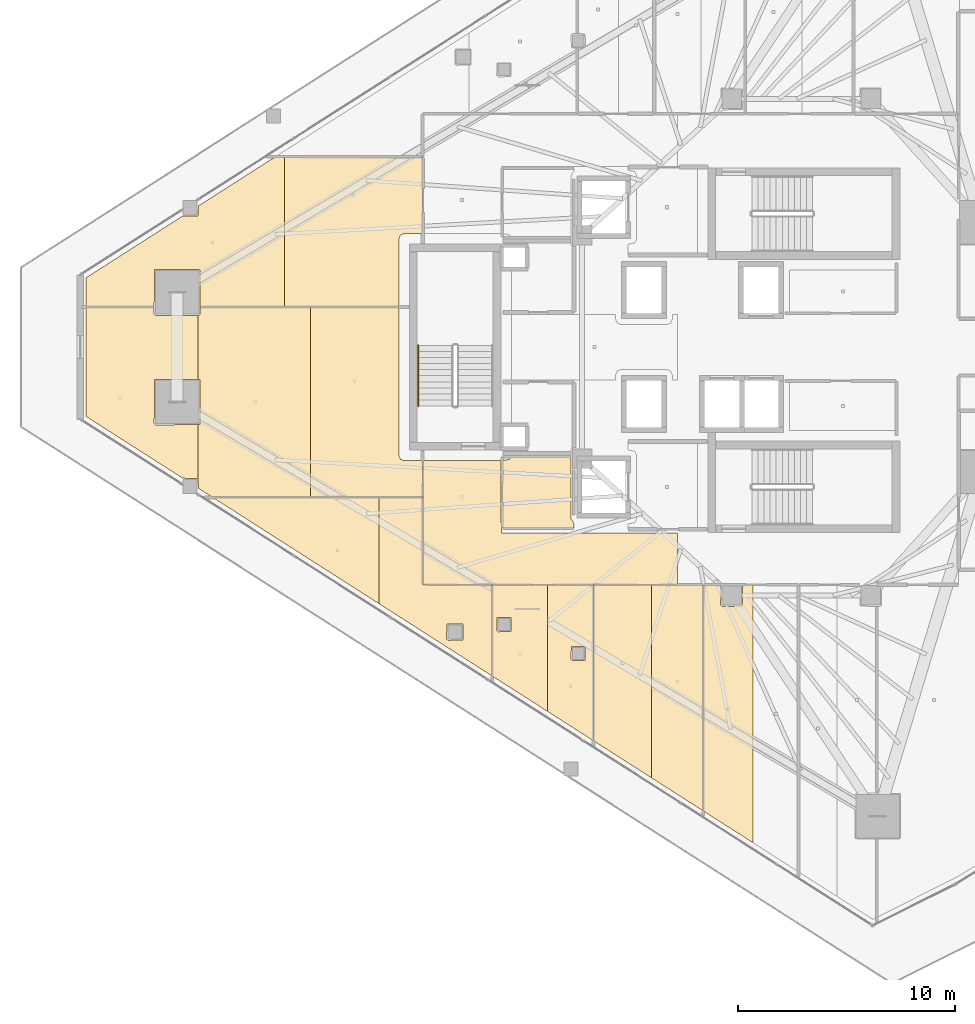
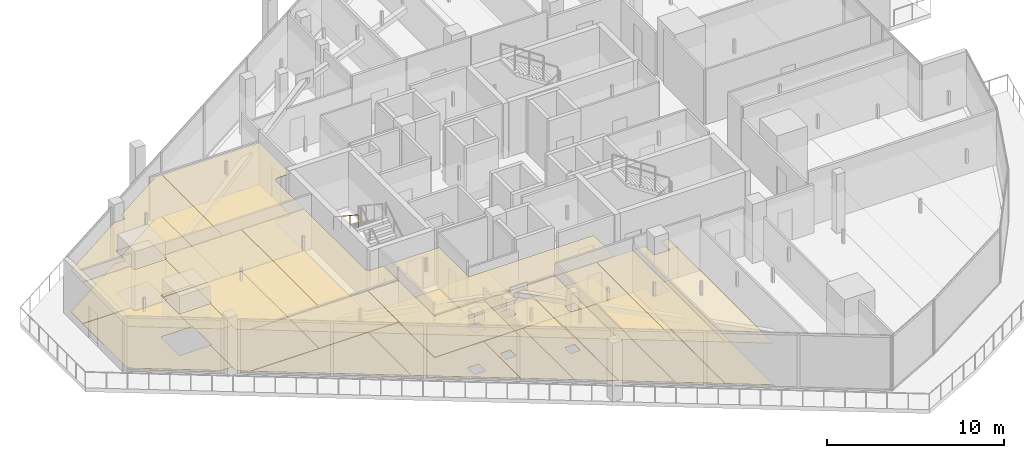
# One storey, part 37 of 43: 27 coverings, 1 railing.
"""IFC4 building model written with IfcOpenShell, lengths in metres."""

from ifc_helpers import new_model, si_unit, direction, frame, origin, origin_2d, place, context, subcontext, project, spatial, polyline, circle, outline, extrude, material, layer, layer_set, type_object, element, save


model = new_model("IFC4")

# Units and contexts
model_context = context("Model", 3, precision=1e-05, world=origin(), true_north=direction((0.0, 1.0)))
body_context = subcontext(model_context, "Body", "Model", "MODEL_VIEW")
ifc_project = project(units=[si_unit("LENGTHUNIT", "METRE"), si_unit("AREAUNIT", "SQUARE_METRE"), si_unit("VOLUMEUNIT", "CUBIC_METRE"), si_unit("PLANEANGLEUNIT", "RADIAN"), si_unit("MASSUNIT", "GRAM", prefix="KILO")], contexts=[model_context])

# Site, building, storey
site_placement = place(None, origin())
site = spatial("IfcSite", under=ifc_project, at=site_placement, CompositionType="ELEMENT")
building_placement = place(site_placement, origin())
building = spatial("IfcBuilding", under=site, at=building_placement, Name="Qorvath Tower", CompositionType="ELEMENT")
storey_placement = place(building_placement, frame((0.0, 0.0, 213.14990234375)))
storey = spatial("IfcBuildingStorey", under=building, at=storey_placement, Name="L49", CompositionType="ELEMENT", Elevation=213.14990234375)

# Coverings
ifc_material_1 = material(Name="Acoustic mineral fibre ceiling tile", Category="gypsum")
ifc_layer_1 = layer(ifc_material_1, 0.030029296875)
ifc_layer_set_1 = layer_set([ifc_layer_1], Name="COV-CEIL")
covering_type_1 = type_object("IfcCoveringType", Name="COV-CEIL", PredefinedType="CEILING", material=ifc_layer_set_1)
covering_1_placement = place(storey_placement, frame((0.0, 0.0, 2.85009765625)))
element("IfcCovering", 1, at=covering_1_placement, inside=storey, type_object=covering_type_1, Name="L49 Suspended Acoustic Ceiling 009", PredefinedType="CEILING", context=body_context, shape_type="SweptSolid", body=[
    extrude(outline(polyline([(-34.22509765625, -8.580078125), (-34.251220703125, -5.239990234375), (-37.844970703125, -5.239990234375), (-37.844970703125, -10.945068359375), (-26.09521484375, -10.945068359375), (-26.09521484375, -8.57470703125), (-34.22509765625, -8.580078125)])), origin(), (0.0, 0.0, 1.0), 0.030029296875),
])
covering_2_placement = place(storey_placement, frame((0.0, 0.0, 2.85009765625)))
element("IfcCovering", 2, at=covering_2_placement, inside=storey, type_object=covering_type_1, Name="L49 Suspended Acoustic Ceiling 023", PredefinedType="CEILING", context=body_context, shape_type="SweptSolid", body=[
    extrude(outline(polyline([(-34.64501953125, -10.962890625), (-34.64501953125, -15.16796875), (-32.10205078125, -16.793212890625), (-32.10205078125, -10.962890625), (-34.64501953125, -10.962890625)]), holes=[polyline([(-34.439208984375, -13.0673828125), (-34.421630859375, -12.47509765625), (-33.786865234375, -12.47509765625), (-33.786865234375, -13.10986328125), (-34.379150390625, -13.12744140625), (-34.439208984375, -13.0673828125)])]), origin(), (0.0, 0.0, 1.0), 0.030029296875),
])
covering_3_placement = place(storey_placement, frame((0.0, 0.0, 2.85009765625)))
element("IfcCovering", 3, at=covering_3_placement, inside=storey, type_object=covering_type_1, Name="L49 Suspended Acoustic Ceiling 024", PredefinedType="CEILING", context=body_context, shape_type="SweptSolid", body=[
    extrude(outline(polyline([(-32.10205078125, -10.962890625), (-32.10205078125, -16.793212890625), (-29.98388671875, -18.147216796875), (-29.98388671875, -10.962890625), (-32.10205078125, -10.962890625)]), holes=[polyline([(-31.01220703125, -14.3994140625), (-30.99462890625, -13.806884765625), (-30.35986328125, -13.806884765625), (-30.35986328125, -14.441650390625), (-30.9521484375, -14.459228515625), (-31.01220703125, -14.3994140625)])]), origin(), (0.0, 0.0, 1.0), 0.030029296875),
])
covering_4_placement = place(storey_placement, frame((0.0, 0.0, 2.85009765625)))
element("IfcCovering", 4, at=covering_4_placement, inside=storey, type_object=covering_type_1, Name="L49 Suspended Acoustic Ceiling 025", PredefinedType="CEILING", context=body_context, shape_type="SweptSolid", body=[
    extrude(outline(polyline([(-29.9658203125, -10.962890625), (-29.9658203125, -18.15869140625), (-27.290771484375, -19.868408203125), (-27.290771484375, -10.962890625), (-29.9658203125, -10.962890625)])), origin(), (0.0, 0.0, 1.0), 0.030029296875),
])
covering_5_placement = place(storey_placement, frame((0.0, 0.0, 2.85009765625)))
element("IfcCovering", 5, at=covering_5_placement, inside=storey, type_object=covering_type_1, Name="L49 Suspended Acoustic Ceiling 026", PredefinedType="CEILING", context=body_context, shape_type="SweptSolid", body=[
    extrude(outline(polyline([(-27.290771484375, -10.962890625), (-27.290771484375, -19.868408203125), (-24.92333984375, -21.381591796875), (-24.92333984375, -10.962890625), (-27.290771484375, -10.962890625)])), origin(), (0.0, 0.0, 1.0), 0.030029296875),
])
covering_6_placement = place(storey_placement, frame((0.0, 0.0, 2.85009765625)))
element("IfcCovering", 6, at=covering_6_placement, inside=storey, type_object=covering_type_1, Name="L49 Suspended Acoustic Ceiling 027", PredefinedType="CEILING", context=body_context, shape_type="SweptSolid", body=[
    extrude(outline(polyline([(-24.9052734375, -10.962890625), (-24.9052734375, -21.39306640625), (-22.609375, -22.8603515625), (-22.609375, -10.962890625), (-23.105224609375, -10.962890625), (-23.107666015625, -11.9423828125), (-24.050048828125, -11.9599609375), (-24.110107421875, -11.89990234375), (-24.0947265625, -10.962890625), (-24.9052734375, -10.962890625)])), origin(), (0.0, 0.0, 1.0), 0.030029296875),
])
covering_7_placement = place(storey_placement, frame((0.0, 0.0, 2.85009765625)))
element("IfcCovering", 7, at=covering_7_placement, inside=storey, type_object=covering_type_1, Name="L49 Suspended Acoustic Ceiling 043", PredefinedType="CEILING", context=body_context, shape_type="SweptSolid", body=[
    extrude(outline(polyline([(-39.8642578125, -11.832275390625), (-39.8642578125, -6.935791015625), (-47.525390625, -6.935791015625), (-39.8642578125, -11.832275390625)])), origin(), (0.0, 0.0, 1.0), 0.030029296875),
])
covering_8_placement = place(storey_placement, frame((0.0, 0.0, 2.85009765625)))
element("IfcCovering", 8, at=covering_8_placement, inside=storey, type_object=covering_type_1, Name="L49 Suspended Acoustic Ceiling 044", PredefinedType="CEILING", context=body_context, shape_type="SweptSolid", body=[
    extrude(outline(polyline([(-37.863037109375, -10.9580078125), (-37.863037109375, -6.935791015625), (-39.8642578125, -6.935791015625), (-39.8642578125, -11.832275390625), (-34.6630859375, -15.156494140625), (-34.6630859375, -10.962890625), (-37.863037109375, -10.9580078125)]), holes=[polyline([(-36.749755859375, -13.46044921875), (-36.732177734375, -12.76806640625), (-35.997314453125, -12.76806640625), (-35.997314453125, -13.5029296875), (-36.689697265625, -13.5205078125), (-36.749755859375, -13.46044921875)])]), origin(), (0.0, 0.0, 1.0), 0.030029296875),
])
covering_9_placement = place(storey_placement, frame((0.0, 0.0, 2.85009765625)))
element("IfcCovering", 9, at=covering_9_placement, inside=storey, type_object=covering_type_1, Name="L49 Suspended Acoustic Ceiling 045", PredefinedType="CEILING", context=body_context, shape_type="SweptSolid", body=[
    extrude(outline(polyline([(-53.377685546875, 1.847900390625), (-53.377685546875, -3.1953125), (-48.918212890625, -6.045654296875), (-48.2109375, -6.05712890625), (-48.206298828125, -6.179931640625), (-48.206298828125, -3.57080078125), (-50.171875, -3.587890625), (-50.23193359375, -3.52783203125), (-50.21435546875, -1.4853515625), (-48.206298828125, -1.4853515625), (-48.206298828125, 1.4677734375), (-50.171875, 1.4677734375), (-50.23193359375, 1.52783203125), (-50.23193359375, 1.847900390625), (-53.377685546875, 1.847900390625)])), origin(), (0.0, 0.0, 1.0), 0.030029296875),
])
covering_10_placement = place(storey_placement, frame((0.0, 0.0, 2.85009765625)))
element("IfcCovering", 10, at=covering_10_placement, inside=storey, type_object=covering_type_1, Name="L49 Suspended Acoustic Ceiling 046", PredefinedType="CEILING", context=body_context, shape_type="SweptSolid", body=[
    extrude(outline(polyline([(-48.206298828125, 1.4677734375), (-48.206298828125, -1.4853515625), (-48.12939453125, -1.4853515625), (-48.12939453125, -3.5703125), (-48.206298828125, -3.57080078125), (-48.206298828125, -6.179931640625), (-48.193359375, -6.5087890625), (-47.553466796875, -6.917724609375), (-43.03466796875, -6.917724609375), (-43.03466796875, 1.847900390625), (-48.11181640625, 1.847900390625), (-48.11181640625, 1.52783203125), (-48.171875, 1.4677734375), (-48.206298828125, 1.4677734375)])), origin(), (0.0, 0.0, 1.0), 0.030029296875),
])
covering_11_placement = place(storey_placement, frame((0.0, 0.0, 2.85009765625)))
element("IfcCovering", 11, at=covering_11_placement, inside=storey, type_object=covering_type_1, Name="L49 Suspended Acoustic Ceiling 047", PredefinedType="CEILING", context=body_context, shape_type="SweptSolid", body=[
    extrude(outline(polyline([(-43.03466796875, 1.847900390625), (-43.03466796875, -6.917724609375), (-37.863037109375, -6.917724609375), (-37.863037109375, -5.239990234375), (-38.699951171875, -5.239990234375), (-38.876708984375, -5.166748046875), (-38.949951171875, -4.989990234375), (-38.949951171875, 1.847900390625), (-43.03466796875, 1.847900390625)])), origin(), (0.0, 0.0, 1.0), 0.030029296875),
])
covering_12_placement = place(storey_placement, frame((0.0, 0.0, 2.85009765625)))
element("IfcCovering", 12, at=covering_12_placement, inside=storey, type_object=covering_type_1, Name="L49 Suspended Acoustic Ceiling 048", PredefinedType="CEILING", context=body_context, shape_type="SweptSolid", body=[
    extrude(outline(polyline([(-44.23388671875, 1.86572265625), (-44.23388671875, 8.759033203125), (-44.671630859375, 8.759765625), (-48.193359375, 6.5087890625), (-48.2109375, 6.05712890625), (-48.918212890625, 6.045654296875), (-53.377685546875, 3.1953125), (-53.377685546875, 1.86572265625), (-50.23193359375, 1.86572265625), (-50.21435546875, 3.5703125), (-48.171875, 3.587890625), (-48.11181640625, 3.52783203125), (-48.11181640625, 1.86572265625), (-44.23388671875, 1.86572265625)])), origin(), (0.0, 0.0, 1.0), 0.030029296875),
])
covering_13_placement = place(storey_placement, frame((0.0, 0.0, 2.85009765625)))
element("IfcCovering", 13, at=covering_13_placement, inside=storey, type_object=covering_type_1, Name="L49 Suspended Acoustic Ceiling 049", PredefinedType="CEILING", context=body_context, shape_type="SweptSolid", body=[
    extrude(outline(polyline([(-37.863037109375, 8.75146484375), (-44.23388671875, 8.759033203125), (-44.23388671875, 1.86572265625), (-38.949951171875, 1.86572265625), (-38.949951171875, 4.989990234375), (-38.876708984375, 5.166748046875), (-38.699951171875, 5.239990234375), (-37.863037109375, 5.239990234375), (-37.863037109375, 8.75146484375)])), origin(), (0.0, 0.0, 1.0), 0.030029296875),
])
ifc_material_2 = material(Name="Low-VOC modular carpet tile", Category="textile")
ifc_layer_2 = layer(ifc_material_2, 0.014892578125)
ifc_layer_set_2 = layer_set([ifc_layer_2], Name="COV-FLOOR-CPT")
covering_type_2 = type_object("IfcCoveringType", Name="COV-FLOOR-CPT", PredefinedType="FLOORING", material=ifc_layer_set_2)
covering_14_placement = place(storey_placement, origin())
element("IfcCovering", 14, at=covering_14_placement, inside=storey, type_object=covering_type_2, Name="L49 Floor Finish 023", PredefinedType="FLOORING", context=body_context, shape_type="SweptSolid", body=[
    extrude(outline(polyline([(-34.64501953125, -10.962890625), (-34.64501953125, -15.16796875), (-32.10205078125, -16.793212890625), (-32.10205078125, -10.962890625), (-34.64501953125, -10.962890625)]), holes=[polyline([(-34.439208984375, -13.0673828125), (-34.421630859375, -12.47509765625), (-33.786865234375, -12.47509765625), (-33.786865234375, -13.10986328125), (-34.379150390625, -13.12744140625), (-34.439208984375, -13.0673828125)])]), origin(), (0.0, 0.0, 1.0), 0.01513671875),
])
covering_15_placement = place(storey_placement, origin())
element("IfcCovering", 15, at=covering_15_placement, inside=storey, type_object=covering_type_2, Name="L49 Floor Finish 024", PredefinedType="FLOORING", context=body_context, shape_type="SweptSolid", body=[
    extrude(outline(polyline([(-32.10205078125, -10.962890625), (-32.10205078125, -16.793212890625), (-29.98388671875, -18.147216796875), (-29.98388671875, -10.962890625), (-32.10205078125, -10.962890625)]), holes=[polyline([(-31.01220703125, -14.3994140625), (-30.99462890625, -13.806884765625), (-30.35986328125, -13.806884765625), (-30.35986328125, -14.441650390625), (-30.9521484375, -14.459228515625), (-31.01220703125, -14.3994140625)])]), origin(), (0.0, 0.0, 1.0), 0.01513671875),
])
covering_16_placement = place(storey_placement, origin())
element("IfcCovering", 16, at=covering_16_placement, inside=storey, type_object=covering_type_2, Name="L49 Floor Finish 025", PredefinedType="FLOORING", context=body_context, shape_type="SweptSolid", body=[
    extrude(outline(polyline([(-29.9658203125, -10.962890625), (-29.9658203125, -18.15869140625), (-27.290771484375, -19.868408203125), (-27.290771484375, -10.962890625), (-29.9658203125, -10.962890625)])), origin(), (0.0, 0.0, 1.0), 0.01513671875),
])
covering_17_placement = place(storey_placement, origin())
element("IfcCovering", 17, at=covering_17_placement, inside=storey, type_object=covering_type_2, Name="L49 Floor Finish 026", PredefinedType="FLOORING", context=body_context, shape_type="SweptSolid", body=[
    extrude(outline(polyline([(-27.290771484375, -10.962890625), (-27.290771484375, -19.868408203125), (-24.92333984375, -21.381591796875), (-24.92333984375, -10.962890625), (-27.290771484375, -10.962890625)])), origin(), (0.0, 0.0, 1.0), 0.01513671875),
])
covering_18_placement = place(storey_placement, origin())
element("IfcCovering", 18, at=covering_18_placement, inside=storey, type_object=covering_type_2, Name="L49 Floor Finish 027", PredefinedType="FLOORING", context=body_context, shape_type="SweptSolid", body=[
    extrude(outline(polyline([(-24.9052734375, -10.962890625), (-24.9052734375, -21.39306640625), (-22.609375, -22.8603515625), (-22.609375, -10.962890625), (-23.105224609375, -10.962890625), (-23.107666015625, -11.9423828125), (-24.050048828125, -11.9599609375), (-24.110107421875, -11.89990234375), (-24.0947265625, -10.962890625), (-24.9052734375, -10.962890625)])), origin(), (0.0, 0.0, 1.0), 0.01513671875),
])
covering_19_placement = place(storey_placement, origin())
element("IfcCovering", 19, at=covering_19_placement, inside=storey, type_object=covering_type_2, Name="L49 Floor Finish 043", PredefinedType="FLOORING", context=body_context, shape_type="SweptSolid", body=[
    extrude(outline(polyline([(-39.8642578125, -11.832275390625), (-39.8642578125, -6.935791015625), (-47.525390625, -6.935791015625), (-39.8642578125, -11.832275390625)])), origin(), (0.0, 0.0, 1.0), 0.01513671875),
])
covering_20_placement = place(storey_placement, origin())
element("IfcCovering", 20, at=covering_20_placement, inside=storey, type_object=covering_type_2, Name="L49 Floor Finish 044", PredefinedType="FLOORING", context=body_context, shape_type="SweptSolid", body=[
    extrude(outline(polyline([(-37.863037109375, -10.9580078125), (-37.863037109375, -6.935791015625), (-39.8642578125, -6.935791015625), (-39.8642578125, -11.832275390625), (-34.6630859375, -15.156494140625), (-34.6630859375, -10.962890625), (-37.863037109375, -10.9580078125)]), holes=[polyline([(-36.749755859375, -13.46044921875), (-36.732177734375, -12.76806640625), (-35.997314453125, -12.76806640625), (-35.997314453125, -13.5029296875), (-36.689697265625, -13.5205078125), (-36.749755859375, -13.46044921875)])]), origin(), (0.0, 0.0, 1.0), 0.01513671875),
])
covering_21_placement = place(storey_placement, origin())
element("IfcCovering", 21, at=covering_21_placement, inside=storey, type_object=covering_type_2, Name="L49 Floor Finish 045", PredefinedType="FLOORING", context=body_context, shape_type="SweptSolid", body=[
    extrude(outline(polyline([(-53.377685546875, 1.847900390625), (-53.377685546875, -3.1953125), (-48.918212890625, -6.045654296875), (-48.2109375, -6.05712890625), (-48.206298828125, -6.179931640625), (-48.206298828125, -3.57080078125), (-50.171875, -3.587890625), (-50.23193359375, -3.52783203125), (-50.21435546875, -1.4853515625), (-48.206298828125, -1.4853515625), (-48.206298828125, 1.4677734375), (-50.171875, 1.4677734375), (-50.23193359375, 1.52783203125), (-50.23193359375, 1.847900390625), (-53.377685546875, 1.847900390625)])), origin(), (0.0, 0.0, 1.0), 0.01513671875),
])
covering_22_placement = place(storey_placement, origin())
element("IfcCovering", 22, at=covering_22_placement, inside=storey, type_object=covering_type_2, Name="L49 Floor Finish 046", PredefinedType="FLOORING", context=body_context, shape_type="SweptSolid", body=[
    extrude(outline(polyline([(-48.206298828125, 1.4677734375), (-48.206298828125, -1.4853515625), (-48.12939453125, -1.4853515625), (-48.12939453125, -3.5703125), (-48.206298828125, -3.57080078125), (-48.206298828125, -6.179931640625), (-48.193359375, -6.5087890625), (-47.553466796875, -6.917724609375), (-43.03466796875, -6.917724609375), (-43.03466796875, 1.847900390625), (-48.11181640625, 1.847900390625), (-48.11181640625, 1.52783203125), (-48.171875, 1.4677734375), (-48.206298828125, 1.4677734375)])), origin(), (0.0, 0.0, 1.0), 0.01513671875),
])
covering_23_placement = place(storey_placement, origin())
element("IfcCovering", 23, at=covering_23_placement, inside=storey, type_object=covering_type_2, Name="L49 Floor Finish 047", PredefinedType="FLOORING", context=body_context, shape_type="SweptSolid", body=[
    extrude(outline(polyline([(-43.03466796875, 1.847900390625), (-43.03466796875, -6.917724609375), (-37.863037109375, -6.917724609375), (-37.863037109375, -5.239990234375), (-38.699951171875, -5.239990234375), (-38.876708984375, -5.166748046875), (-38.949951171875, -4.989990234375), (-38.949951171875, 1.847900390625), (-43.03466796875, 1.847900390625)])), origin(), (0.0, 0.0, 1.0), 0.01513671875),
])
covering_24_placement = place(storey_placement, origin())
element("IfcCovering", 24, at=covering_24_placement, inside=storey, type_object=covering_type_2, Name="L49 Floor Finish 048", PredefinedType="FLOORING", context=body_context, shape_type="SweptSolid", body=[
    extrude(outline(polyline([(-44.23388671875, 1.86572265625), (-44.23388671875, 8.759033203125), (-44.671630859375, 8.759765625), (-48.193359375, 6.5087890625), (-48.2109375, 6.05712890625), (-48.918212890625, 6.045654296875), (-53.377685546875, 3.1953125), (-53.377685546875, 1.86572265625), (-50.23193359375, 1.86572265625), (-50.21435546875, 3.5703125), (-48.171875, 3.587890625), (-48.11181640625, 3.52783203125), (-48.11181640625, 1.86572265625), (-44.23388671875, 1.86572265625)])), origin(), (0.0, 0.0, 1.0), 0.01513671875),
])
covering_25_placement = place(storey_placement, origin())
element("IfcCovering", 25, at=covering_25_placement, inside=storey, type_object=covering_type_2, Name="L49 Floor Finish 049", PredefinedType="FLOORING", context=body_context, shape_type="SweptSolid", body=[
    extrude(outline(polyline([(-37.863037109375, 8.75146484375), (-44.23388671875, 8.759033203125), (-44.23388671875, 1.86572265625), (-38.949951171875, 1.86572265625), (-38.949951171875, 4.989990234375), (-38.876708984375, 5.166748046875), (-38.699951171875, 5.239990234375), (-37.863037109375, 5.239990234375), (-37.863037109375, 8.75146484375)])), origin(), (0.0, 0.0, 1.0), 0.01513671875),
])
ifc_material_3 = material(Name="Polished epoxy terrazzo flooring", Category="concrete")
ifc_layer_3 = layer(ifc_material_3, 0.02001953125)
ifc_layer_set_3 = layer_set([ifc_layer_3], Name="COV-FLOOR-TRZ")
covering_type_3 = type_object("IfcCoveringType", Name="COV-FLOOR-TRZ", PredefinedType="FLOORING", material=ifc_layer_set_3)
covering_26_placement = place(storey_placement, origin())
element("IfcCovering", 26, at=covering_26_placement, inside=storey, type_object=covering_type_3, Name="L49 Floor Finish 007", PredefinedType="FLOORING", context=body_context, shape_type="SweptSolid", body=[
    extrude(outline(polyline([(-30.885009765625, -8.108154296875), (-31.010009765625, -7.909912109375), (-31.010009765625, -5.054931640625), (-33.786865234375, -5.054931640625), (-33.833251953125, -5.166748046875), (-34.175048828125, -5.239990234375), (-34.175048828125, -8.344970703125), (-30.885009765625, -8.344970703125), (-30.885009765625, -8.108154296875)])), origin(), (0.0, 0.0, 1.0), 0.01513671875),
])
covering_27_placement = place(storey_placement, origin())
element("IfcCovering", 27, at=covering_27_placement, inside=storey, type_object=covering_type_3, Name="L49 Floor Finish 009", PredefinedType="FLOORING", context=body_context, shape_type="SweptSolid", body=[
    extrude(outline(polyline([(-34.22509765625, -8.580078125), (-34.251220703125, -5.239990234375), (-37.844970703125, -5.239990234375), (-37.844970703125, -10.945068359375), (-26.09521484375, -10.945068359375), (-26.09521484375, -8.57470703125), (-34.22509765625, -8.580078125)])), origin(), (0.0, 0.0, 1.0), 0.01513671875),
])

# Railing
ifc_material_4 = material(Name="Brushed stainless steel AISI 304", Category="steel")
railing_type = type_object("IfcRailingType", Name="RL-STR-HND", PredefinedType="HANDRAIL", material=ifc_material_4)
railing_placement = place(storey_placement, frame((-38.06005859375, 0.080078125, 2.209228515625)))
element("IfcRailing", 28, at=railing_placement, inside=storey, type_object=railing_type, Name="L49 TS3 stair handrail 2", PredefinedType="HANDRAIL", context=body_context, shape_type="SweptSolid", body=[
    extrude(circle(Radius=0.02392578125, at=origin_2d()), frame((0.0, 0.0, 0.8759765625), z_axis=(0.0, -0.835597507184, 0.549342157483), x_axis=(1.0, 0.0, 0.0)), (0.0, 0.0, 1.0), 3.35107421875),
    extrude(circle(Radius=0.02099609375, at=origin_2d()), origin(), (0.0, 0.0, 1.0), 0.851806640625),
    extrude(circle(Radius=0.02099609375, at=origin_2d()), frame((0.0, -0.933349609375, 0.613525390625)), (0.0, 0.0, 1.0), 0.851806640625),
    extrude(circle(Radius=0.02099609375, at=origin_2d()), frame((0.0, -1.86669921875, 1.227294921875)), (0.0, 0.0, 1.0), 0.851806640625),
    extrude(circle(Radius=0.02099609375, at=origin_2d()), frame((0.0, -2.800048828125, 1.8408203125)), (0.0, 0.0, 1.0), 0.851806640625),
])

save(model, "model.ifc")
